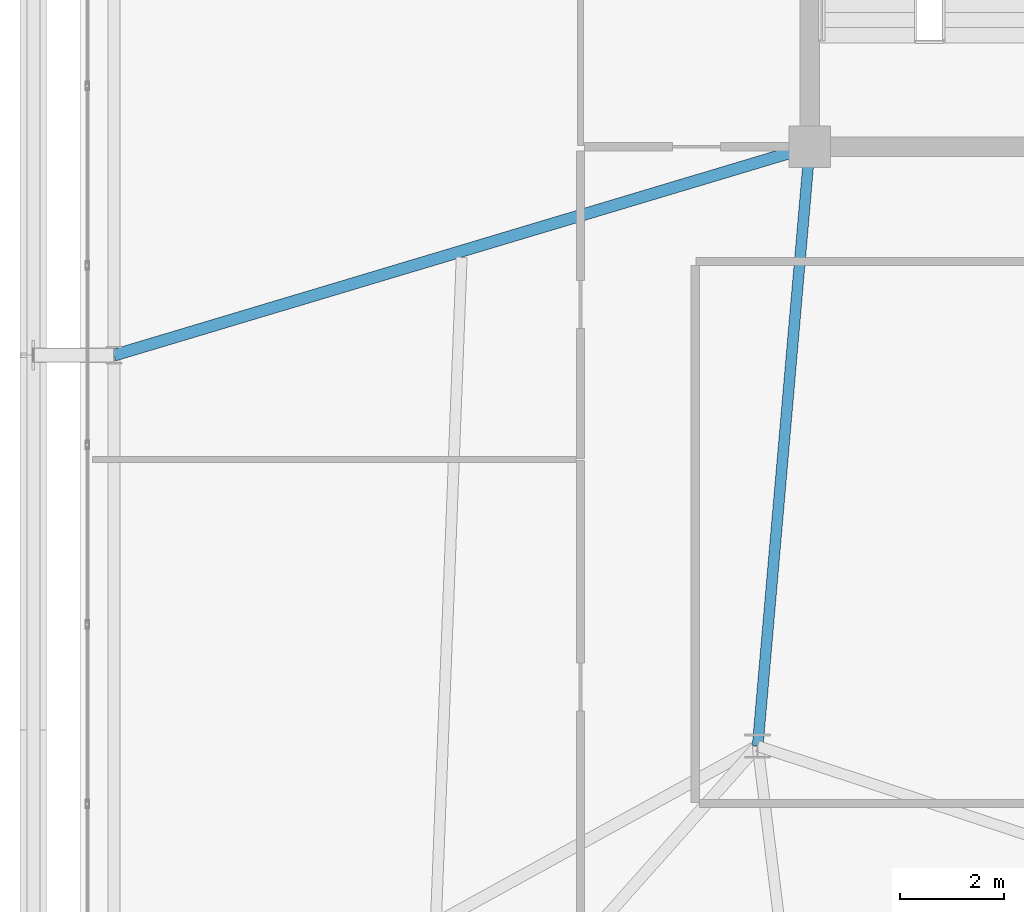
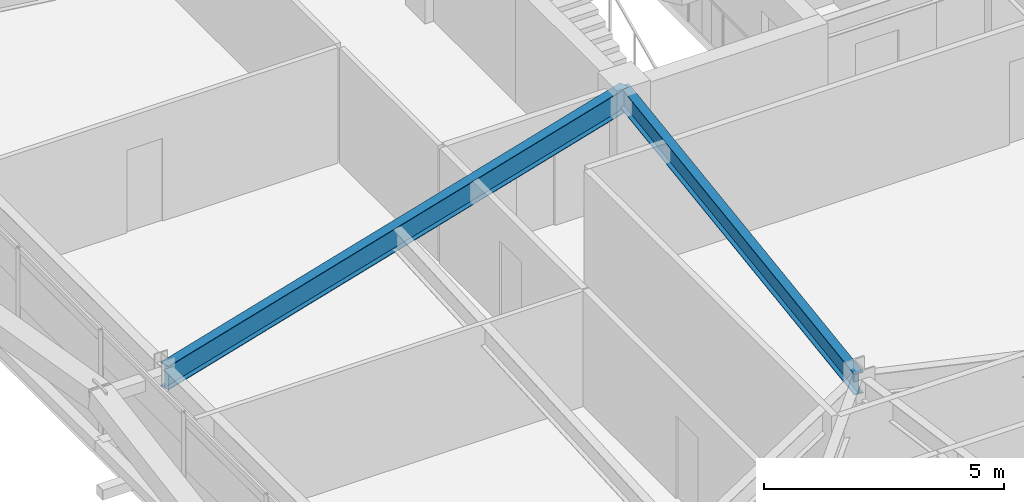
# One storey, part 15 of 58: 2 beams.
"""IFC4 building model written with IfcOpenShell, lengths in metres."""

from ifc_helpers import new_model, si_unit, direction, frame, origin, origin_2d, place, context, subcontext, project, spatial, i_section, extrude, source, transform, mapped, material, material_profile, profile_set, type_object, element, save


model = new_model("IFC4")

# Units and contexts
model_context = context("Model", 3, precision=1e-05, world=origin(), true_north=direction((0.0, 1.0)))
body_context = subcontext(model_context, "Body", "Model", "MODEL_VIEW")
ifc_project = project(units=[si_unit("LENGTHUNIT", "METRE"), si_unit("AREAUNIT", "SQUARE_METRE"), si_unit("VOLUMEUNIT", "CUBIC_METRE"), si_unit("PLANEANGLEUNIT", "RADIAN"), si_unit("MASSUNIT", "GRAM", prefix="KILO")], contexts=[model_context])

# Site, building, storey
site_placement = place(None, origin())
site = spatial("IfcSite", under=ifc_project, at=site_placement, CompositionType="ELEMENT")
building_placement = place(site_placement, origin())
building = spatial("IfcBuilding", under=site, at=building_placement, Name="Taldren Reach Tower", CompositionType="ELEMENT")
storey_placement = place(building_placement, frame((0.0, 0.0, 54.60009765625)))
storey = spatial("IfcBuildingStorey", under=building, at=storey_placement, Name="L16", CompositionType="ELEMENT", Elevation=54.60009765625)

# Beams
ifc_material = material(Name="Steel Gr 350 (350PLUS)", Category="steel")
ifc_material_profile_1 = material_profile(ifc_material, i_section(OverallWidth=0.208984375, OverallDepth=0.532958984375, WebThickness=0.01025390625, FlangeThickness=0.015625, at=origin_2d()), Name="530UB92.4")
ifc_profile_set_1 = profile_set([ifc_material_profile_1], Name="Steel Gr 350 (350PLUS)")
beam_type_1 = type_object("IfcBeamType", Name="BM-UB530A", PredefinedType="BEAM", material=ifc_profile_set_1)
shared_shape_1 = source(origin(), body_context, "Body", "SweptSolid", [
    extrude(i_section(OverallWidth=0.208984375, OverallDepth=0.532958984375, WebThickness=0.01025390625, FlangeThickness=0.015625, at=origin_2d()), origin(), (0.0, 0.0, 1.0), 11.54345703125),
])
beam_1_placement = place(storey_placement, frame((19.0, 24.0, 2.663330078125), z_axis=(-0.086629616365, -0.996240588196, 0.0), x_axis=(0.996240588196, -0.086629616365, 0.0)))
element("IfcBeam", 1, at=beam_1_placement, inside=storey, type_object=beam_type_1, Name="Core-spine girder L16-SP09", PredefinedType="BEAM", context=body_context, shape_type="MappedRepresentation", body=[
    mapped(shared_shape_1, transform((0.0, 0.0, 0.0), scale=1.0)),
])
ifc_material_profile_2 = material_profile(ifc_material, i_section(OverallWidth=0.22802734375, OverallDepth=0.60205078125, WebThickness=0.010498046875, FlangeThickness=0.014892578125, at=origin_2d()), Name="610UB101")
ifc_profile_set_2 = profile_set([ifc_material_profile_2], Name="Steel Gr 350 (350PLUS)")
beam_type_2 = type_object("IfcBeamType", Name="BM-UB610B", PredefinedType="BEAM", material=ifc_profile_set_2)
shared_shape_2 = source(origin(), body_context, "Body", "SweptSolid", [
    extrude(i_section(OverallWidth=0.22802734375, OverallDepth=0.60205078125, WebThickness=0.010498046875, FlangeThickness=0.014892578125, at=origin_2d()), origin(), (0.0, 0.0, 1.0), 13.9365234375),
])
beam_2_placement = place(storey_placement, frame((19.0, 24.0, 2.62890625), z_axis=(-0.957925550891, -0.287016792104, 0.0), x_axis=(0.287016792104, -0.957925550891, 0.0)))
element("IfcBeam", 2, at=beam_2_placement, inside=storey, type_object=beam_type_2, Name="Primary floor girder B1-W2 L16", PredefinedType="BEAM", context=body_context, shape_type="MappedRepresentation", body=[
    mapped(shared_shape_2, transform((0.0, 0.0, 0.0), scale=1.0)),
])

save(model, "model.ifc")
